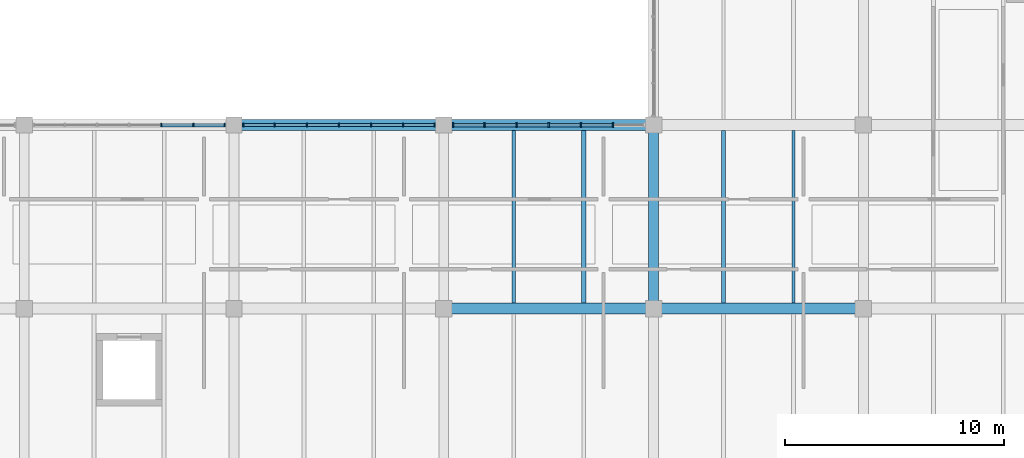
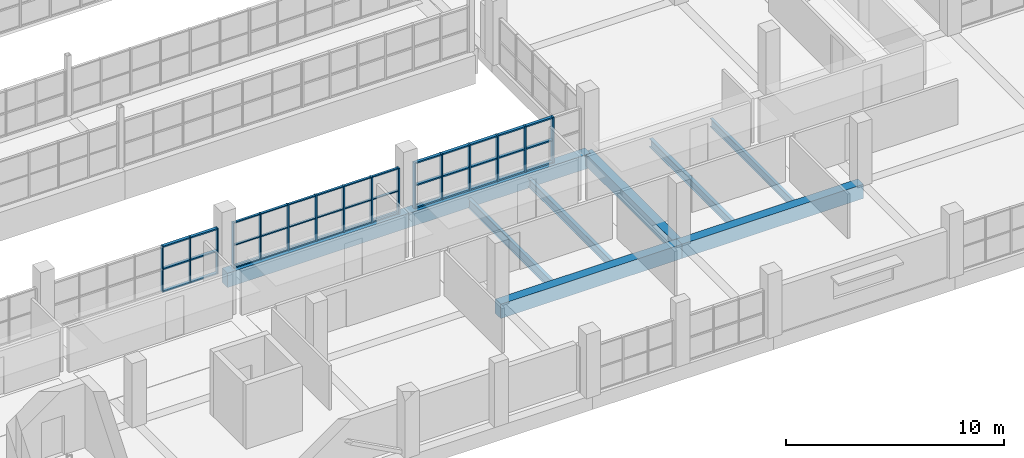
# One storey, part 55 of 147: 55 members, 9 beams, 3 elements without a shape of their own.
"""IFC4 building model written with IfcOpenShell, lengths in metres."""

from ifc_helpers import new_model, si_unit, direction, frame, origin, origin_2d, place, context, subcontext, project, spatial, rectangle, i_section, extrude, material, material_profile, profile_set, type_object, element, aggregate, save


model = new_model("IFC4")

# Units and contexts
model_context = context("Model", 3, precision=1e-05, world=origin(), true_north=direction((0.0, 1.0)))
body_context = subcontext(model_context, "Body", "Model", "MODEL_VIEW")
ifc_project = project(units=[si_unit("LENGTHUNIT", "METRE"), si_unit("AREAUNIT", "SQUARE_METRE"), si_unit("VOLUMEUNIT", "CUBIC_METRE"), si_unit("PLANEANGLEUNIT", "RADIAN"), si_unit("MASSUNIT", "GRAM", prefix="KILO")], contexts=[model_context])

# Site, building, storey
site_placement = place(None, origin())
site = spatial("IfcSite", under=ifc_project, at=site_placement, CompositionType="ELEMENT")
building_placement = place(site_placement, origin())
building = spatial("IfcBuilding", under=site, at=building_placement, Name="Oolite Switchyard Hospital", CompositionType="ELEMENT")
storey_placement = place(building_placement, frame((0.0, 0.0, 9.89990234375)))
storey = spatial("IfcBuildingStorey", under=building, at=storey_placement, Name="L02", CompositionType="ELEMENT", Elevation=9.89990234375)

# Beams
ifc_material_1 = material(Name="Concrete C40/50", Category="concrete")
ifc_material_profile_1 = material_profile(ifc_material_1, rectangle(XDim=0.449951171875, YDim=0.64990234375, at=origin_2d()), Name="RCB450X650")
ifc_profile_set_1 = profile_set([ifc_material_profile_1], Name="Concrete C40/50")
beam_type_1 = type_object("IfcBeamType", Name="BM-RC450X650", PredefinedType="BEAM", material=ifc_profile_set_1)
beam_1_placement = place(storey_placement, frame((182.39990234375, 16.800048828125, -0.324951171875), z_axis=(0.0, 1.0, 0.0), x_axis=(-1.0, 0.0, 0.0)))
element("IfcBeam", 1, at=beam_1_placement, inside=storey, type_object=beam_type_1, Name="L02 Y-Girder 1468", PredefinedType="BEAM", context=body_context, shape_type="SweptSolid", body=[
    extrude(rectangle(XDim=0.449951171875, YDim=0.64990234375, at=origin_2d()), origin(), (0.0, 0.0, 1.0), 8.39990234375),
])
ifc_material_profile_2 = material_profile(ifc_material_1, rectangle(XDim=0.5, YDim=0.800048828125, at=origin_2d()), Name="RCB500X800")
ifc_profile_set_2 = profile_set([ifc_material_profile_2], Name="Concrete C40/50")
beam_type_2 = type_object("IfcBeamType", Name="BM-RC500X800", PredefinedType="BEAM", material=ifc_profile_set_2)
beam_2_placement = place(storey_placement, frame((172.800048828125, 16.800048828125, -0.39990234375), z_axis=(1.0, 0.0, 0.0), x_axis=(0.0, 1.0, 0.0)))
element("IfcBeam", 2, at=beam_2_placement, inside=storey, type_object=beam_type_2, Name="L02 X-Girder 1015", PredefinedType="BEAM", context=body_context, shape_type="SweptSolid", body=[
    extrude(rectangle(XDim=0.5, YDim=0.800048828125, at=origin_2d()), origin(), (0.0, 0.0, 1.0), 9.599853515625),
])
for number, where, z_axis, x_axis, name in (
    (3, (182.39990234375, 16.800048828125, -0.39990234375), (1.0, 0.0, 0.0), (0.0, 1.0, 0.0), "L02 X-Girder 1016"),
    (4, (163.199951171875, 25.199951171875, -0.39990234375), (1.0, 0.0, 0.0), (0.0, 1.0, 0.0), "L02 X-Girder 1029"),
):
    element("IfcBeam", number, at=place(storey_placement, frame(where, z_axis=z_axis, x_axis=x_axis)), inside=storey, type_object=beam_type_2, Name=name, PredefinedType="BEAM", context=body_context, shape_type="SweptSolid", body=[
        extrude(rectangle(XDim=0.5, YDim=0.800048828125, at=origin_2d()), origin(), (0.0, 0.0, 1.0), 9.60009765625),
    ])
beam_3_placement = place(storey_placement, frame((172.800048828125, 25.199951171875, -0.39990234375), z_axis=(1.0, 0.0, 0.0), x_axis=(0.0, 1.0, 0.0)))
element("IfcBeam", 5, at=beam_3_placement, inside=storey, type_object=beam_type_2, Name="L02 X-Girder 1030", PredefinedType="BEAM", context=body_context, shape_type="SweptSolid", body=[
    extrude(rectangle(XDim=0.5, YDim=0.800048828125, at=origin_2d()), origin(), (0.0, 0.0, 1.0), 9.599853515625),
])
ifc_material_2 = material(Name="Steel ASTM A992 Grade 50", Category="steel")
ifc_material_profile_3 = material_profile(ifc_material_2, i_section(OverallWidth=0.153076171875, OverallDepth=0.455078125, WebThickness=0.008056640625, FlangeThickness=0.012939453125, at=origin_2d()), Name="W18X40")
ifc_profile_set_3 = profile_set([ifc_material_profile_3], Name="Steel ASTM A992 Grade 50")
beam_type_3 = type_object("IfcBeamType", Name="BM-W18X40", PredefinedType="JOIST", material=ifc_profile_set_3)
beam_4_placement = place(storey_placement, frame((188.800048828125, 17.050048828125, -0.48681640625), z_axis=(0.0, 1.0, 0.0), x_axis=(-1.0, 0.0, 0.0)))
element("IfcBeam", 6, at=beam_4_placement, inside=storey, type_object=beam_type_3, Name="L02 Secondary Steel Joist 1869", PredefinedType="JOIST", context=body_context, shape_type="SweptSolid", body=[
    extrude(i_section(OverallWidth=0.153076171875, OverallDepth=0.455078125, WebThickness=0.008056640625, FlangeThickness=0.012939453125, at=origin_2d()), origin(), (0.0, 0.0, 1.0), 7.89990234375),
])
ifc_material_profile_4 = material_profile(ifc_material_2, i_section(OverallWidth=0.19091796875, OverallDepth=0.4599609375, WebThickness=0.010009765625, FlangeThickness=0.01611328125, at=origin_2d()), Name="W18X55")
ifc_profile_set_4 = profile_set([ifc_material_profile_4], Name="Steel ASTM A992 Grade 50")
beam_type_4 = type_object("IfcBeamType", Name="BM-W18X55", PredefinedType="JOIST", material=ifc_profile_set_4)
for number, where, z_axis, x_axis, name in (
    (7, (179.199951171875, 17.050048828125, -0.489990234375), (0.0, 1.0, 0.0), (-1.0, 0.0, 0.0), "L02 Secondary Steel Joist 1855"),
    (8, (185.60009765625, 17.050048828125, -0.489990234375), (0.0, 1.0, 0.0), (-1.0, 0.0, 0.0), "L02 Secondary Steel Joist 1868"),
):
    element("IfcBeam", number, at=place(storey_placement, frame(where, z_axis=z_axis, x_axis=x_axis)), inside=storey, type_object=beam_type_4, Name=name, PredefinedType="JOIST", context=body_context, shape_type="SweptSolid", body=[
        extrude(i_section(OverallWidth=0.19091796875, OverallDepth=0.4599609375, WebThickness=0.010009765625, FlangeThickness=0.01611328125, at=origin_2d()), origin(), (0.0, 0.0, 1.0), 7.89990234375),
    ])
ifc_material_profile_5 = material_profile(ifc_material_2, i_section(OverallWidth=0.166015625, OverallDepth=0.529052734375, WebThickness=0.010009765625, FlangeThickness=0.013916015625, at=origin_2d()), Name="W21X50")
ifc_profile_set_5 = profile_set([ifc_material_profile_5], Name="Steel ASTM A992 Grade 50")
beam_type_5 = type_object("IfcBeamType", Name="BM-W21X50", PredefinedType="JOIST", material=ifc_profile_set_5)
beam_5_placement = place(storey_placement, frame((176.0, 17.050048828125, -0.52392578125), z_axis=(0.0, 1.0, 0.0), x_axis=(-1.0, 0.0, 0.0)))
element("IfcBeam", 9, at=beam_5_placement, inside=storey, type_object=beam_type_5, Name="L02 Secondary Steel Joist 1854", PredefinedType="JOIST", context=body_context, shape_type="SweptSolid", body=[
    extrude(i_section(OverallWidth=0.166015625, OverallDepth=0.529052734375, WebThickness=0.010009765625, FlangeThickness=0.013916015625, at=origin_2d()), origin(), (0.0, 0.0, 1.0), 7.89990234375),
])

# Curtain wall, members
ifc_material_3 = material(Name="Thermally broken aluminum frame with laminated impact glazing", Category="aluminium")
curtain_wall_type = type_object("IfcCurtainWallType", Name="CW-UNIT-96X36", PredefinedType="USERDEFINED", material=ifc_material_3)
curtain_wall_1_placement = place(storey_placement, origin())
curtain_wall_1 = element("IfcCurtainWall", 10, at=curtain_wall_1_placement, inside=storey, type_object=curtain_wall_type, Name="L02 Unitised Curtain Wall 217", ObjectType="UNITISED", PredefinedType="USERDEFINED")
ifc_material_4 = material(Name="Aluminium 6063-T6", Category="aluminium")
ifc_material_profile_6 = material_profile(ifc_material_4, rectangle(XDim=0.159912109375, YDim=0.06005859375, at=origin_2d()), Name="CWM60X160")
ifc_profile_set_6 = profile_set([ifc_material_profile_6], Name="Aluminium 6063-T6")
member_type_1 = type_object("IfcMemberType", Name="CW-MUL-180", PredefinedType="MULLION", material=ifc_profile_set_6)
member_1_placement = place(storey_placement, frame((159.8701171875, 25.199951171875, 0.0), z_axis=(0.0, 0.0, 1.0), x_axis=(0.0, 1.0, 0.0)))
member_1 = element("IfcMember", 11, at=member_1_placement, type_object=member_type_1, Name="CW-03 mullion 5", PredefinedType="MULLION", context=body_context, shape_type="SweptSolid", body=[
    extrude(rectangle(XDim=0.159912109375, YDim=0.06005859375, at=origin_2d()), origin(), (0.0, 0.0, 1.0), 2.570068359375),
])
member_2_placement = place(storey_placement, frame((161.340087890625, 25.199951171875, 0.0), z_axis=(0.0, 0.0, 1.0), x_axis=(0.0, 1.0, 0.0)))
member_2 = element("IfcMember", 12, at=member_2_placement, type_object=member_type_1, Name="CW-03 mullion 6", PredefinedType="MULLION", context=body_context, shape_type="SweptSolid", body=[
    extrude(rectangle(XDim=0.159912109375, YDim=0.06005859375, at=origin_2d()), origin(), (0.0, 0.0, 1.0), 2.570068359375),
])
member_3_placement = place(storey_placement, frame((162.780029296875, 25.199951171875, 0.0), z_axis=(0.0, 0.0, 1.0), x_axis=(0.0, 1.0, 0.0)))
member_3 = element("IfcMember", 13, at=member_3_placement, type_object=member_type_1, Name="CW-03 mullion 7", PredefinedType="MULLION", context=body_context, shape_type="SweptSolid", body=[
    extrude(rectangle(XDim=0.159912109375, YDim=0.06005859375, at=origin_2d()), origin(), (0.0, 0.0, 1.0), 2.570068359375),
])

curtain_wall_2_placement = place(storey_placement, origin())
curtain_wall_2 = element("IfcCurtainWall", 14, at=curtain_wall_2_placement, inside=storey, type_object=curtain_wall_type, Name="L02 Unitised Curtain Wall 218", ObjectType="UNITISED", PredefinedType="USERDEFINED")
ifc_material_profile_7 = material_profile(ifc_material_4, rectangle(XDim=0.179931640625, YDim=0.070068359375, at=origin_2d()), Name="CWM70X180")
ifc_profile_set_7 = profile_set([ifc_material_profile_7], Name="Aluminium 6063-T6")
member_type_2 = type_object("IfcMemberType", Name="CW-MUL-220", PredefinedType="MULLION", material=ifc_profile_set_7)
member_4_placement = place(storey_placement, frame((163.625, 25.199951171875, 0.0), z_axis=(0.0, 0.0, 1.0), x_axis=(0.0, 1.0, 0.0)))
member_4 = element("IfcMember", 15, at=member_4_placement, type_object=member_type_2, Name="CW-03 mullion 1", PredefinedType="MULLION", context=body_context, shape_type="SweptSolid", body=[
    extrude(rectangle(XDim=0.179931640625, YDim=0.070068359375, at=origin_2d()), origin(), (0.0, 0.0, 1.0), 2.570068359375),
])
member_5_placement = place(storey_placement, frame((165.06005859375, 25.199951171875, 0.0), z_axis=(0.0, 0.0, 1.0), x_axis=(0.0, 1.0, 0.0)))
member_5 = element("IfcMember", 16, at=member_5_placement, type_object=member_type_2, Name="CW-03 mullion 2", PredefinedType="MULLION", context=body_context, shape_type="SweptSolid", body=[
    extrude(rectangle(XDim=0.179931640625, YDim=0.070068359375, at=origin_2d()), origin(), (0.0, 0.0, 1.0), 2.570068359375),
])
member_6_placement = place(storey_placement, frame((166.530029296875, 25.199951171875, 0.0), z_axis=(0.0, 0.0, 1.0), x_axis=(0.0, 1.0, 0.0)))
member_6 = element("IfcMember", 17, at=member_6_placement, type_object=member_type_2, Name="CW-03 mullion 3", PredefinedType="MULLION", context=body_context, shape_type="SweptSolid", body=[
    extrude(rectangle(XDim=0.179931640625, YDim=0.070068359375, at=origin_2d()), origin(), (0.0, 0.0, 1.0), 2.570068359375),
])
member_7_placement = place(storey_placement, frame((168.0, 25.199951171875, 0.0), z_axis=(0.0, 0.0, 1.0), x_axis=(0.0, 1.0, 0.0)))
member_7 = element("IfcMember", 18, at=member_7_placement, type_object=member_type_2, Name="CW-03 mullion 4", PredefinedType="MULLION", context=body_context, shape_type="SweptSolid", body=[
    extrude(rectangle(XDim=0.179931640625, YDim=0.070068359375, at=origin_2d()), origin(), (0.0, 0.0, 1.0), 2.570068359375),
])
member_8_placement = place(storey_placement, frame((169.469970703125, 25.199951171875, 0.0), z_axis=(0.0, 0.0, 1.0), x_axis=(0.0, 1.0, 0.0)))
member_8 = element("IfcMember", 19, at=member_8_placement, type_object=member_type_2, Name="CW-03 mullion 5", PredefinedType="MULLION", context=body_context, shape_type="SweptSolid", body=[
    extrude(rectangle(XDim=0.179931640625, YDim=0.070068359375, at=origin_2d()), origin(), (0.0, 0.0, 1.0), 2.570068359375),
])
member_9_placement = place(storey_placement, frame((170.93994140625, 25.199951171875, 0.0), z_axis=(0.0, 0.0, 1.0), x_axis=(0.0, 1.0, 0.0)))
member_9 = element("IfcMember", 20, at=member_9_placement, type_object=member_type_2, Name="CW-03 mullion 6", PredefinedType="MULLION", context=body_context, shape_type="SweptSolid", body=[
    extrude(rectangle(XDim=0.179931640625, YDim=0.070068359375, at=origin_2d()), origin(), (0.0, 0.0, 1.0), 2.570068359375),
])
member_10_placement = place(storey_placement, frame((172.375, 25.199951171875, 0.0), z_axis=(0.0, 0.0, 1.0), x_axis=(0.0, 1.0, 0.0)))
member_10 = element("IfcMember", 21, at=member_10_placement, type_object=member_type_2, Name="CW-03 mullion 7", PredefinedType="MULLION", context=body_context, shape_type="SweptSolid", body=[
    extrude(rectangle(XDim=0.179931640625, YDim=0.070068359375, at=origin_2d()), origin(), (0.0, 0.0, 1.0), 2.570068359375),
])

curtain_wall_3_placement = place(storey_placement, origin())
curtain_wall_3 = element("IfcCurtainWall", 22, at=curtain_wall_3_placement, inside=storey, type_object=curtain_wall_type, Name="L02 Unitised Curtain Wall 219", ObjectType="UNITISED", PredefinedType="USERDEFINED")
ifc_material_profile_8 = material_profile(ifc_material_4, rectangle(XDim=0.199951171875, YDim=0.074951171875, at=origin_2d()), Name="CWM75X200")
ifc_profile_set_8 = profile_set([ifc_material_profile_8], Name="Aluminium 6063-T6")
member_type_3 = type_object("IfcMemberType", Name="CW-MUL-260", PredefinedType="MULLION", material=ifc_profile_set_8)
member_11_placement = place(storey_placement, frame((173.2275390625, 25.199951171875, 0.0), z_axis=(0.0, 0.0, 1.0), x_axis=(0.0, 1.0, 0.0)))
member_11 = element("IfcMember", 23, at=member_11_placement, type_object=member_type_3, Name="CW-03 mullion 1", PredefinedType="MULLION", context=body_context, shape_type="SweptSolid", body=[
    extrude(rectangle(XDim=0.199951171875, YDim=0.074951171875, at=origin_2d()), origin(), (0.0, 0.0, 1.0), 2.570068359375),
])
member_12_placement = place(storey_placement, frame((174.659912109375, 25.199951171875, 0.0), z_axis=(0.0, 0.0, 1.0), x_axis=(0.0, 1.0, 0.0)))
member_12 = element("IfcMember", 24, at=member_12_placement, type_object=member_type_3, Name="CW-03 mullion 2", PredefinedType="MULLION", context=body_context, shape_type="SweptSolid", body=[
    extrude(rectangle(XDim=0.199951171875, YDim=0.074951171875, at=origin_2d()), origin(), (0.0, 0.0, 1.0), 2.570068359375),
])
member_13_placement = place(storey_placement, frame((176.1298828125, 25.199951171875, 0.0), z_axis=(0.0, 0.0, 1.0), x_axis=(0.0, 1.0, 0.0)))
member_13 = element("IfcMember", 25, at=member_13_placement, type_object=member_type_3, Name="CW-03 mullion 3", PredefinedType="MULLION", context=body_context, shape_type="SweptSolid", body=[
    extrude(rectangle(XDim=0.199951171875, YDim=0.074951171875, at=origin_2d()), origin(), (0.0, 0.0, 1.0), 2.570068359375),
])
member_14_placement = place(storey_placement, frame((177.60009765625, 25.199951171875, 0.0), z_axis=(0.0, 0.0, 1.0), x_axis=(0.0, 1.0, 0.0)))
member_14 = element("IfcMember", 26, at=member_14_placement, type_object=member_type_3, Name="CW-03 mullion 4", PredefinedType="MULLION", context=body_context, shape_type="SweptSolid", body=[
    extrude(rectangle(XDim=0.199951171875, YDim=0.074951171875, at=origin_2d()), origin(), (0.0, 0.0, 1.0), 2.570068359375),
])
member_15_placement = place(storey_placement, frame((179.070068359375, 25.199951171875, 0.0), z_axis=(0.0, 0.0, 1.0), x_axis=(0.0, 1.0, 0.0)))
member_15 = element("IfcMember", 27, at=member_15_placement, type_object=member_type_3, Name="CW-03 mullion 5", PredefinedType="MULLION", context=body_context, shape_type="SweptSolid", body=[
    extrude(rectangle(XDim=0.199951171875, YDim=0.074951171875, at=origin_2d()), origin(), (0.0, 0.0, 1.0), 2.570068359375),
])
member_16_placement = place(storey_placement, frame((180.5400390625, 25.199951171875, 0.0), z_axis=(0.0, 0.0, 1.0), x_axis=(0.0, 1.0, 0.0)))
member_16 = element("IfcMember", 28, at=member_16_placement, type_object=member_type_3, Name="CW-03 mullion 6", PredefinedType="MULLION", context=body_context, shape_type="SweptSolid", body=[
    extrude(rectangle(XDim=0.199951171875, YDim=0.074951171875, at=origin_2d()), origin(), (0.0, 0.0, 1.0), 2.570068359375),
])

# Member
ifc_material_profile_9 = material_profile(ifc_material_4, rectangle(XDim=0.1201171875, YDim=0.06005859375, at=origin_2d()), Name="CWT60X120")
ifc_profile_set_9 = profile_set([ifc_material_profile_9], Name="Aluminium 6063-T6")
member_type_4 = type_object("IfcMemberType", Name="CW-TRN-150", PredefinedType="USERDEFINED", material=ifc_profile_set_9)
member_17_placement = place(storey_placement, frame((163.659912109375, 25.199951171875, 0.030029296875), z_axis=(1.0, 0.0, 0.0), x_axis=(0.0, 1.0, 0.0)))
member_17 = element("IfcMember", 29, at=member_17_placement, type_object=member_type_4, Name="CW-03 transom 1.1", ObjectType="TRANSOM", PredefinedType="USERDEFINED", context=body_context, shape_type="SweptSolid", body=[
    extrude(rectangle(XDim=0.1201171875, YDim=0.06005859375, at=origin_2d()), origin(), (0.0, 0.0, 1.0), 1.364990234375),
])

member_18_placement = place(storey_placement, frame((163.659912109375, 25.199951171875, 1.28515625), z_axis=(1.0, 0.0, 0.0), x_axis=(0.0, 1.0, 0.0)))
member_18 = element("IfcMember", 30, at=member_18_placement, type_object=member_type_4, Name="CW-03 transom 1.2", ObjectType="TRANSOM", PredefinedType="USERDEFINED", context=body_context, shape_type="SweptSolid", body=[
    extrude(rectangle(XDim=0.1201171875, YDim=0.06005859375, at=origin_2d()), origin(), (0.0, 0.0, 1.0), 1.364990234375),
])

member_19_placement = place(storey_placement, frame((163.659912109375, 25.199951171875, 2.5400390625), z_axis=(1.0, 0.0, 0.0), x_axis=(0.0, 1.0, 0.0)))
member_19 = element("IfcMember", 31, at=member_19_placement, type_object=member_type_4, Name="CW-03 transom 1.3", ObjectType="TRANSOM", PredefinedType="USERDEFINED", context=body_context, shape_type="SweptSolid", body=[
    extrude(rectangle(XDim=0.1201171875, YDim=0.06005859375, at=origin_2d()), origin(), (0.0, 0.0, 1.0), 1.364990234375),
])

member_20_placement = place(storey_placement, frame((165.094970703125, 25.199951171875, 0.030029296875), z_axis=(1.0, 0.0, 0.0), x_axis=(0.0, 1.0, 0.0)))
member_20 = element("IfcMember", 32, at=member_20_placement, type_object=member_type_4, Name="CW-03 transom 2.1", ObjectType="TRANSOM", PredefinedType="USERDEFINED", context=body_context, shape_type="SweptSolid", body=[
    extrude(rectangle(XDim=0.1201171875, YDim=0.06005859375, at=origin_2d()), origin(), (0.0, 0.0, 1.0), 1.400146484375),
])

member_21_placement = place(storey_placement, frame((165.094970703125, 25.199951171875, 1.28515625), z_axis=(1.0, 0.0, 0.0), x_axis=(0.0, 1.0, 0.0)))
member_21 = element("IfcMember", 33, at=member_21_placement, type_object=member_type_4, Name="CW-03 transom 2.2", ObjectType="TRANSOM", PredefinedType="USERDEFINED", context=body_context, shape_type="SweptSolid", body=[
    extrude(rectangle(XDim=0.1201171875, YDim=0.06005859375, at=origin_2d()), origin(), (0.0, 0.0, 1.0), 1.400146484375),
])

member_22_placement = place(storey_placement, frame((165.094970703125, 25.199951171875, 2.5400390625), z_axis=(1.0, 0.0, 0.0), x_axis=(0.0, 1.0, 0.0)))
member_22 = element("IfcMember", 34, at=member_22_placement, type_object=member_type_4, Name="CW-03 transom 2.3", ObjectType="TRANSOM", PredefinedType="USERDEFINED", context=body_context, shape_type="SweptSolid", body=[
    extrude(rectangle(XDim=0.1201171875, YDim=0.06005859375, at=origin_2d()), origin(), (0.0, 0.0, 1.0), 1.400146484375),
])

member_23_placement = place(storey_placement, frame((166.56494140625, 25.199951171875, 0.030029296875), z_axis=(1.0, 0.0, 0.0), x_axis=(0.0, 1.0, 0.0)))
member_23 = element("IfcMember", 35, at=member_23_placement, type_object=member_type_4, Name="CW-03 transom 3.1", ObjectType="TRANSOM", PredefinedType="USERDEFINED", context=body_context, shape_type="SweptSolid", body=[
    extrude(rectangle(XDim=0.1201171875, YDim=0.06005859375, at=origin_2d()), origin(), (0.0, 0.0, 1.0), 1.400146484375),
])

member_24_placement = place(storey_placement, frame((166.56494140625, 25.199951171875, 1.28515625), z_axis=(1.0, 0.0, 0.0), x_axis=(0.0, 1.0, 0.0)))
member_24 = element("IfcMember", 36, at=member_24_placement, type_object=member_type_4, Name="CW-03 transom 3.2", ObjectType="TRANSOM", PredefinedType="USERDEFINED", context=body_context, shape_type="SweptSolid", body=[
    extrude(rectangle(XDim=0.1201171875, YDim=0.06005859375, at=origin_2d()), origin(), (0.0, 0.0, 1.0), 1.400146484375),
])

member_25_placement = place(storey_placement, frame((166.56494140625, 25.199951171875, 2.5400390625), z_axis=(1.0, 0.0, 0.0), x_axis=(0.0, 1.0, 0.0)))
member_25 = element("IfcMember", 37, at=member_25_placement, type_object=member_type_4, Name="CW-03 transom 3.3", ObjectType="TRANSOM", PredefinedType="USERDEFINED", context=body_context, shape_type="SweptSolid", body=[
    extrude(rectangle(XDim=0.1201171875, YDim=0.06005859375, at=origin_2d()), origin(), (0.0, 0.0, 1.0), 1.400146484375),
])

member_26_placement = place(storey_placement, frame((168.034912109375, 25.199951171875, 0.030029296875), z_axis=(1.0, 0.0, 0.0), x_axis=(0.0, 1.0, 0.0)))
member_26 = element("IfcMember", 38, at=member_26_placement, type_object=member_type_4, Name="CW-03 transom 4.1", ObjectType="TRANSOM", PredefinedType="USERDEFINED", context=body_context, shape_type="SweptSolid", body=[
    extrude(rectangle(XDim=0.1201171875, YDim=0.06005859375, at=origin_2d()), origin(), (0.0, 0.0, 1.0), 1.400146484375),
])

member_27_placement = place(storey_placement, frame((168.034912109375, 25.199951171875, 1.28515625), z_axis=(1.0, 0.0, 0.0), x_axis=(0.0, 1.0, 0.0)))
member_27 = element("IfcMember", 39, at=member_27_placement, type_object=member_type_4, Name="CW-03 transom 4.2", ObjectType="TRANSOM", PredefinedType="USERDEFINED", context=body_context, shape_type="SweptSolid", body=[
    extrude(rectangle(XDim=0.1201171875, YDim=0.06005859375, at=origin_2d()), origin(), (0.0, 0.0, 1.0), 1.400146484375),
])

member_28_placement = place(storey_placement, frame((168.034912109375, 25.199951171875, 2.5400390625), z_axis=(1.0, 0.0, 0.0), x_axis=(0.0, 1.0, 0.0)))
member_28 = element("IfcMember", 40, at=member_28_placement, type_object=member_type_4, Name="CW-03 transom 4.3", ObjectType="TRANSOM", PredefinedType="USERDEFINED", context=body_context, shape_type="SweptSolid", body=[
    extrude(rectangle(XDim=0.1201171875, YDim=0.06005859375, at=origin_2d()), origin(), (0.0, 0.0, 1.0), 1.400146484375),
])

member_29_placement = place(storey_placement, frame((169.5048828125, 25.199951171875, 0.030029296875), z_axis=(1.0, 0.0, 0.0), x_axis=(0.0, 1.0, 0.0)))
member_29 = element("IfcMember", 41, at=member_29_placement, type_object=member_type_4, Name="CW-03 transom 5.1", ObjectType="TRANSOM", PredefinedType="USERDEFINED", context=body_context, shape_type="SweptSolid", body=[
    extrude(rectangle(XDim=0.1201171875, YDim=0.06005859375, at=origin_2d()), origin(), (0.0, 0.0, 1.0), 1.400146484375),
])

member_30_placement = place(storey_placement, frame((169.5048828125, 25.199951171875, 1.28515625), z_axis=(1.0, 0.0, 0.0), x_axis=(0.0, 1.0, 0.0)))
member_30 = element("IfcMember", 42, at=member_30_placement, type_object=member_type_4, Name="CW-03 transom 5.2", ObjectType="TRANSOM", PredefinedType="USERDEFINED", context=body_context, shape_type="SweptSolid", body=[
    extrude(rectangle(XDim=0.1201171875, YDim=0.06005859375, at=origin_2d()), origin(), (0.0, 0.0, 1.0), 1.400146484375),
])

member_31_placement = place(storey_placement, frame((169.5048828125, 25.199951171875, 2.5400390625), z_axis=(1.0, 0.0, 0.0), x_axis=(0.0, 1.0, 0.0)))
member_31 = element("IfcMember", 43, at=member_31_placement, type_object=member_type_4, Name="CW-03 transom 5.3", ObjectType="TRANSOM", PredefinedType="USERDEFINED", context=body_context, shape_type="SweptSolid", body=[
    extrude(rectangle(XDim=0.1201171875, YDim=0.06005859375, at=origin_2d()), origin(), (0.0, 0.0, 1.0), 1.400146484375),
])

member_32_placement = place(storey_placement, frame((170.97509765625, 25.199951171875, 0.030029296875), z_axis=(1.0, 0.0, 0.0), x_axis=(0.0, 1.0, 0.0)))
member_32 = element("IfcMember", 44, at=member_32_placement, type_object=member_type_4, Name="CW-03 transom 6.1", ObjectType="TRANSOM", PredefinedType="USERDEFINED", context=body_context, shape_type="SweptSolid", body=[
    extrude(rectangle(XDim=0.1201171875, YDim=0.06005859375, at=origin_2d()), origin(), (0.0, 0.0, 1.0), 1.364990234375),
])

member_33_placement = place(storey_placement, frame((170.97509765625, 25.199951171875, 1.28515625), z_axis=(1.0, 0.0, 0.0), x_axis=(0.0, 1.0, 0.0)))
member_33 = element("IfcMember", 45, at=member_33_placement, type_object=member_type_4, Name="CW-03 transom 6.2", ObjectType="TRANSOM", PredefinedType="USERDEFINED", context=body_context, shape_type="SweptSolid", body=[
    extrude(rectangle(XDim=0.1201171875, YDim=0.06005859375, at=origin_2d()), origin(), (0.0, 0.0, 1.0), 1.364990234375),
])

member_34_placement = place(storey_placement, frame((170.97509765625, 25.199951171875, 2.5400390625), z_axis=(1.0, 0.0, 0.0), x_axis=(0.0, 1.0, 0.0)))
member_34 = element("IfcMember", 46, at=member_34_placement, type_object=member_type_4, Name="CW-03 transom 6.3", ObjectType="TRANSOM", PredefinedType="USERDEFINED", context=body_context, shape_type="SweptSolid", body=[
    extrude(rectangle(XDim=0.1201171875, YDim=0.06005859375, at=origin_2d()), origin(), (0.0, 0.0, 1.0), 1.364990234375),
])

aggregate(curtain_wall_2, [member_4, member_5, member_6, member_7, member_8, member_9, member_10, member_17, member_18, member_19, member_20, member_21, member_22, member_23, member_24, member_25, member_26, member_27, member_28, member_29, member_30, member_31, member_32, member_33, member_34])

ifc_material_profile_10 = material_profile(ifc_material_4, rectangle(XDim=0.159912109375, YDim=0.074951171875, at=origin_2d()), Name="CWT75X160")
ifc_profile_set_10 = profile_set([ifc_material_profile_10], Name="Aluminium 6063-T6")
member_type_5 = type_object("IfcMemberType", Name="CW-TRN-180", PredefinedType="USERDEFINED", material=ifc_profile_set_10)
member_35_placement = place(storey_placement, frame((159.89990234375, 25.199951171875, 0.03759765625), z_axis=(1.0, 0.0, 0.0), x_axis=(0.0, 1.0, 0.0)))
member_35 = element("IfcMember", 47, at=member_35_placement, type_object=member_type_5, Name="CW-03 transom 5.1", ObjectType="TRANSOM", PredefinedType="USERDEFINED", context=body_context, shape_type="SweptSolid", body=[
    extrude(rectangle(XDim=0.159912109375, YDim=0.074951171875, at=origin_2d()), origin(), (0.0, 0.0, 1.0), 1.41015625),
])

member_36_placement = place(storey_placement, frame((159.89990234375, 25.199951171875, 1.28515625), z_axis=(1.0, 0.0, 0.0), x_axis=(0.0, 1.0, 0.0)))
member_36 = element("IfcMember", 48, at=member_36_placement, type_object=member_type_5, Name="CW-03 transom 5.2", ObjectType="TRANSOM", PredefinedType="USERDEFINED", context=body_context, shape_type="SweptSolid", body=[
    extrude(rectangle(XDim=0.159912109375, YDim=0.074951171875, at=origin_2d()), origin(), (0.0, 0.0, 1.0), 1.41015625),
])

member_37_placement = place(storey_placement, frame((159.89990234375, 25.199951171875, 2.53271484375), z_axis=(1.0, 0.0, 0.0), x_axis=(0.0, 1.0, 0.0)))
member_37 = element("IfcMember", 49, at=member_37_placement, type_object=member_type_5, Name="CW-03 transom 5.3", ObjectType="TRANSOM", PredefinedType="USERDEFINED", context=body_context, shape_type="SweptSolid", body=[
    extrude(rectangle(XDim=0.159912109375, YDim=0.074951171875, at=origin_2d()), origin(), (0.0, 0.0, 1.0), 1.41015625),
])

member_38_placement = place(storey_placement, frame((161.3701171875, 25.199951171875, 0.03759765625), z_axis=(1.0, 0.0, 0.0), x_axis=(0.0, 1.0, 0.0)))
member_38 = element("IfcMember", 50, at=member_38_placement, type_object=member_type_5, Name="CW-03 transom 6.1", ObjectType="TRANSOM", PredefinedType="USERDEFINED", context=body_context, shape_type="SweptSolid", body=[
    extrude(rectangle(XDim=0.159912109375, YDim=0.074951171875, at=origin_2d()), origin(), (0.0, 0.0, 1.0), 1.3798828125),
])

member_39_placement = place(storey_placement, frame((161.3701171875, 25.199951171875, 1.28515625), z_axis=(1.0, 0.0, 0.0), x_axis=(0.0, 1.0, 0.0)))
member_39 = element("IfcMember", 51, at=member_39_placement, type_object=member_type_5, Name="CW-03 transom 6.2", ObjectType="TRANSOM", PredefinedType="USERDEFINED", context=body_context, shape_type="SweptSolid", body=[
    extrude(rectangle(XDim=0.159912109375, YDim=0.074951171875, at=origin_2d()), origin(), (0.0, 0.0, 1.0), 1.3798828125),
])

member_40_placement = place(storey_placement, frame((161.3701171875, 25.199951171875, 2.53271484375), z_axis=(1.0, 0.0, 0.0), x_axis=(0.0, 1.0, 0.0)))
member_40 = element("IfcMember", 52, at=member_40_placement, type_object=member_type_5, Name="CW-03 transom 6.3", ObjectType="TRANSOM", PredefinedType="USERDEFINED", context=body_context, shape_type="SweptSolid", body=[
    extrude(rectangle(XDim=0.159912109375, YDim=0.074951171875, at=origin_2d()), origin(), (0.0, 0.0, 1.0), 1.3798828125),
])

aggregate(curtain_wall_1, [member_1, member_2, member_3, member_35, member_36, member_37, member_38, member_39, member_40])

member_41_placement = place(storey_placement, frame((173.264892578125, 25.199951171875, 0.03759765625), z_axis=(1.0, 0.0, 0.0), x_axis=(0.0, 1.0, 0.0)))
member_41 = element("IfcMember", 53, at=member_41_placement, type_object=member_type_5, Name="CW-03 transom 1.1", ObjectType="TRANSOM", PredefinedType="USERDEFINED", context=body_context, shape_type="SweptSolid", body=[
    extrude(rectangle(XDim=0.159912109375, YDim=0.074951171875, at=origin_2d()), origin(), (0.0, 0.0, 1.0), 1.357666015625),
])

member_42_placement = place(storey_placement, frame((173.264892578125, 25.199951171875, 1.28515625), z_axis=(1.0, 0.0, 0.0), x_axis=(0.0, 1.0, 0.0)))
member_42 = element("IfcMember", 54, at=member_42_placement, type_object=member_type_5, Name="CW-03 transom 1.2", ObjectType="TRANSOM", PredefinedType="USERDEFINED", context=body_context, shape_type="SweptSolid", body=[
    extrude(rectangle(XDim=0.159912109375, YDim=0.074951171875, at=origin_2d()), origin(), (0.0, 0.0, 1.0), 1.357666015625),
])

member_43_placement = place(storey_placement, frame((173.264892578125, 25.199951171875, 2.53271484375), z_axis=(1.0, 0.0, 0.0), x_axis=(0.0, 1.0, 0.0)))
member_43 = element("IfcMember", 55, at=member_43_placement, type_object=member_type_5, Name="CW-03 transom 1.3", ObjectType="TRANSOM", PredefinedType="USERDEFINED", context=body_context, shape_type="SweptSolid", body=[
    extrude(rectangle(XDim=0.159912109375, YDim=0.074951171875, at=origin_2d()), origin(), (0.0, 0.0, 1.0), 1.357666015625),
])

member_44_placement = place(storey_placement, frame((174.697509765625, 25.199951171875, 0.03759765625), z_axis=(1.0, 0.0, 0.0), x_axis=(0.0, 1.0, 0.0)))
member_44 = element("IfcMember", 56, at=member_44_placement, type_object=member_type_5, Name="CW-03 transom 2.1", ObjectType="TRANSOM", PredefinedType="USERDEFINED", context=body_context, shape_type="SweptSolid", body=[
    extrude(rectangle(XDim=0.159912109375, YDim=0.074951171875, at=origin_2d()), origin(), (0.0, 0.0, 1.0), 1.39501953125),
])

member_45_placement = place(storey_placement, frame((174.697509765625, 25.199951171875, 1.28515625), z_axis=(1.0, 0.0, 0.0), x_axis=(0.0, 1.0, 0.0)))
member_45 = element("IfcMember", 57, at=member_45_placement, type_object=member_type_5, Name="CW-03 transom 2.2", ObjectType="TRANSOM", PredefinedType="USERDEFINED", context=body_context, shape_type="SweptSolid", body=[
    extrude(rectangle(XDim=0.159912109375, YDim=0.074951171875, at=origin_2d()), origin(), (0.0, 0.0, 1.0), 1.39501953125),
])

member_46_placement = place(storey_placement, frame((174.697509765625, 25.199951171875, 2.53271484375), z_axis=(1.0, 0.0, 0.0), x_axis=(0.0, 1.0, 0.0)))
member_46 = element("IfcMember", 58, at=member_46_placement, type_object=member_type_5, Name="CW-03 transom 2.3", ObjectType="TRANSOM", PredefinedType="USERDEFINED", context=body_context, shape_type="SweptSolid", body=[
    extrude(rectangle(XDim=0.159912109375, YDim=0.074951171875, at=origin_2d()), origin(), (0.0, 0.0, 1.0), 1.39501953125),
])

member_47_placement = place(storey_placement, frame((176.16748046875, 25.199951171875, 0.03759765625), z_axis=(1.0, 0.0, 0.0), x_axis=(0.0, 1.0, 0.0)))
member_47 = element("IfcMember", 59, at=member_47_placement, type_object=member_type_5, Name="CW-03 transom 3.1", ObjectType="TRANSOM", PredefinedType="USERDEFINED", context=body_context, shape_type="SweptSolid", body=[
    extrude(rectangle(XDim=0.159912109375, YDim=0.074951171875, at=origin_2d()), origin(), (0.0, 0.0, 1.0), 1.39501953125),
])

member_48_placement = place(storey_placement, frame((176.16748046875, 25.199951171875, 1.28515625), z_axis=(1.0, 0.0, 0.0), x_axis=(0.0, 1.0, 0.0)))
member_48 = element("IfcMember", 60, at=member_48_placement, type_object=member_type_5, Name="CW-03 transom 3.2", ObjectType="TRANSOM", PredefinedType="USERDEFINED", context=body_context, shape_type="SweptSolid", body=[
    extrude(rectangle(XDim=0.159912109375, YDim=0.074951171875, at=origin_2d()), origin(), (0.0, 0.0, 1.0), 1.39501953125),
])

member_49_placement = place(storey_placement, frame((176.16748046875, 25.199951171875, 2.53271484375), z_axis=(1.0, 0.0, 0.0), x_axis=(0.0, 1.0, 0.0)))
member_49 = element("IfcMember", 61, at=member_49_placement, type_object=member_type_5, Name="CW-03 transom 3.3", ObjectType="TRANSOM", PredefinedType="USERDEFINED", context=body_context, shape_type="SweptSolid", body=[
    extrude(rectangle(XDim=0.159912109375, YDim=0.074951171875, at=origin_2d()), origin(), (0.0, 0.0, 1.0), 1.39501953125),
])

member_50_placement = place(storey_placement, frame((177.637451171875, 25.199951171875, 0.03759765625), z_axis=(1.0, 0.0, 0.0), x_axis=(0.0, 1.0, 0.0)))
member_50 = element("IfcMember", 62, at=member_50_placement, type_object=member_type_5, Name="CW-03 transom 4.1", ObjectType="TRANSOM", PredefinedType="USERDEFINED", context=body_context, shape_type="SweptSolid", body=[
    extrude(rectangle(XDim=0.159912109375, YDim=0.074951171875, at=origin_2d()), origin(), (0.0, 0.0, 1.0), 1.39501953125),
])

member_51_placement = place(storey_placement, frame((177.637451171875, 25.199951171875, 1.28515625), z_axis=(1.0, 0.0, 0.0), x_axis=(0.0, 1.0, 0.0)))
member_51 = element("IfcMember", 63, at=member_51_placement, type_object=member_type_5, Name="CW-03 transom 4.2", ObjectType="TRANSOM", PredefinedType="USERDEFINED", context=body_context, shape_type="SweptSolid", body=[
    extrude(rectangle(XDim=0.159912109375, YDim=0.074951171875, at=origin_2d()), origin(), (0.0, 0.0, 1.0), 1.39501953125),
])

member_52_placement = place(storey_placement, frame((177.637451171875, 25.199951171875, 2.53271484375), z_axis=(1.0, 0.0, 0.0), x_axis=(0.0, 1.0, 0.0)))
member_52 = element("IfcMember", 64, at=member_52_placement, type_object=member_type_5, Name="CW-03 transom 4.3", ObjectType="TRANSOM", PredefinedType="USERDEFINED", context=body_context, shape_type="SweptSolid", body=[
    extrude(rectangle(XDim=0.159912109375, YDim=0.074951171875, at=origin_2d()), origin(), (0.0, 0.0, 1.0), 1.39501953125),
])

member_53_placement = place(storey_placement, frame((179.107421875, 25.199951171875, 0.03759765625), z_axis=(1.0, 0.0, 0.0), x_axis=(0.0, 1.0, 0.0)))
member_53 = element("IfcMember", 65, at=member_53_placement, type_object=member_type_5, Name="CW-03 transom 5.1", ObjectType="TRANSOM", PredefinedType="USERDEFINED", context=body_context, shape_type="SweptSolid", body=[
    extrude(rectangle(XDim=0.159912109375, YDim=0.074951171875, at=origin_2d()), origin(), (0.0, 0.0, 1.0), 1.39501953125),
])

member_54_placement = place(storey_placement, frame((179.107421875, 25.199951171875, 1.28515625), z_axis=(1.0, 0.0, 0.0), x_axis=(0.0, 1.0, 0.0)))
member_54 = element("IfcMember", 66, at=member_54_placement, type_object=member_type_5, Name="CW-03 transom 5.2", ObjectType="TRANSOM", PredefinedType="USERDEFINED", context=body_context, shape_type="SweptSolid", body=[
    extrude(rectangle(XDim=0.159912109375, YDim=0.074951171875, at=origin_2d()), origin(), (0.0, 0.0, 1.0), 1.39501953125),
])

member_55_placement = place(storey_placement, frame((179.107421875, 25.199951171875, 2.53271484375), z_axis=(1.0, 0.0, 0.0), x_axis=(0.0, 1.0, 0.0)))
member_55 = element("IfcMember", 67, at=member_55_placement, type_object=member_type_5, Name="CW-03 transom 5.3", ObjectType="TRANSOM", PredefinedType="USERDEFINED", context=body_context, shape_type="SweptSolid", body=[
    extrude(rectangle(XDim=0.159912109375, YDim=0.074951171875, at=origin_2d()), origin(), (0.0, 0.0, 1.0), 1.39501953125),
])

aggregate(curtain_wall_3, [member_11, member_12, member_13, member_14, member_15, member_16, member_41, member_42, member_43, member_44, member_45, member_46, member_47, member_48, member_49, member_50, member_51, member_52, member_53, member_54, member_55])

save(model, "model.ifc")
